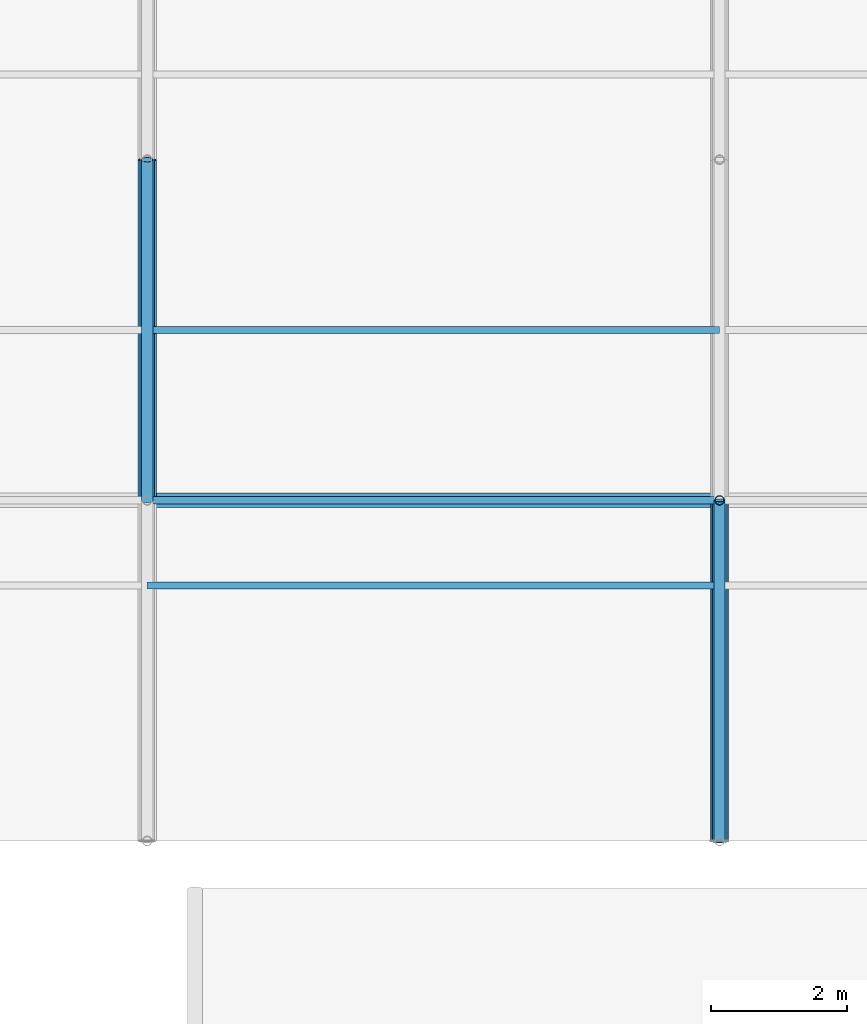
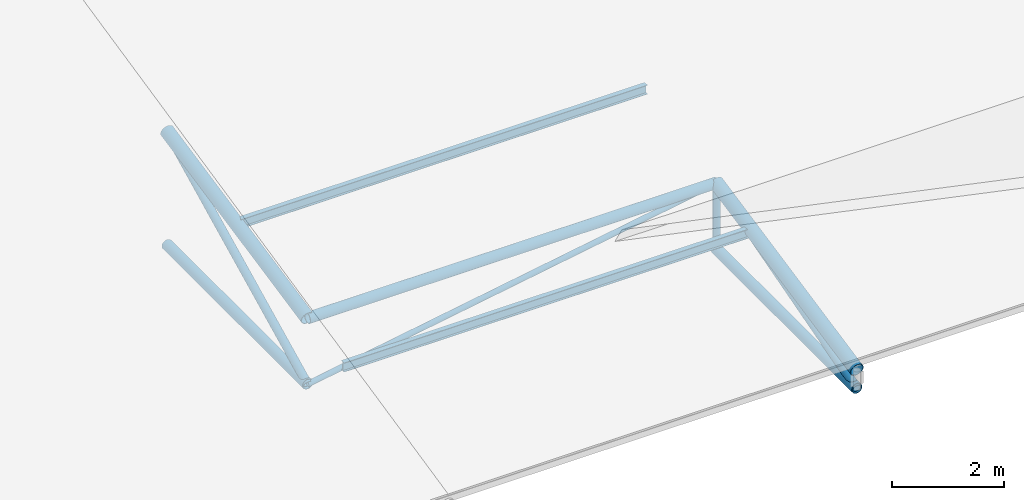
# One storey, part 71 of 194: 9 members, 2 beams.
"""IFC4 building model written with IfcOpenShell, lengths in metres."""

from ifc_helpers import new_model, si_unit, direction, frame, origin, origin_2d, place, context, subcontext, project, spatial, hollow_circle, i_section, extrude, material, material_profile, profile_set, type_object, element, save


model = new_model("IFC4")

# Units and contexts
model_context = context("Model", 3, precision=1e-05, world=origin(), true_north=direction((0.0, 1.0)))
body_context = subcontext(model_context, "Body", "Model", "MODEL_VIEW")
ifc_project = project(units=[si_unit("LENGTHUNIT", "METRE"), si_unit("AREAUNIT", "SQUARE_METRE"), si_unit("VOLUMEUNIT", "CUBIC_METRE"), si_unit("PLANEANGLEUNIT", "RADIAN"), si_unit("MASSUNIT", "GRAM", prefix="KILO")], contexts=[model_context])

# Site, building, storey
site_placement = place(None, origin())
site = spatial("IfcSite", under=ifc_project, at=site_placement, CompositionType="ELEMENT")
building_placement = place(site_placement, origin())
building = spatial("IfcBuilding", under=site, at=building_placement, Name="Kazenagashi Tramway Depot", CompositionType="ELEMENT")
storey_placement = place(building_placement, frame((0.0, 0.0, 23.7)))
storey = spatial("IfcBuildingStorey", under=building, at=storey_placement, Name="ROOF", CompositionType="ELEMENT", Elevation=23.7)

# Beams
ifc_material_1 = material(Name="Steel SN400B", Category="steel")
ifc_material_profile_1 = material_profile(ifc_material_1, i_section(OverallWidth=0.1, OverallDepth=0.2, WebThickness=0.0055, FlangeThickness=0.008, at=origin_2d()), Name="H-200x100x5.5x8")
ifc_profile_set_1 = profile_set([ifc_material_profile_1], Name="Steel SN400B")
beam_type = type_object("IfcBeamType", Name="PR-01", PredefinedType="USERDEFINED", material=ifc_profile_set_1)
for number, where, z_axis, x_axis, name in (
    (1, (145.6, 73.75, -12.955), (1.0, 0.0, 0.0), (0.0, 1.0, 0.0), "Beam PR-01 BM-2030"),
    (2, (145.6, 77.5, -12.13), (1.0, 0.0, 0.0), (0.0, 1.0, 0.0), "Beam PR-01 BM-2048"),
):
    element("IfcBeam", number, at=place(storey_placement, frame(where, z_axis=z_axis, x_axis=x_axis)), inside=storey, type_object=beam_type, Name=name, ObjectType="PURLIN", PredefinedType="USERDEFINED", context=body_context, shape_type="SweptSolid", body=[
        extrude(i_section(OverallWidth=0.1, OverallDepth=0.2, WebThickness=0.0055, FlangeThickness=0.008, at=origin_2d()), origin(), (0.0, 0.0, 1.0), 8.4),
    ])

# Members
ifc_material_2 = material(Name="Steel STK490", Category="steel")
ifc_material_profile_2 = material_profile(ifc_material_2, hollow_circle(Radius=0.1337, WallThickness=0.0093, at=origin_2d()), Name="CHS-267.4x9.3")
ifc_profile_set_2 = profile_set([ifc_material_profile_2], Name="Steel STK490")
member_type_1 = type_object("IfcMemberType", Name="TC-01", PredefinedType="CHORD", material=ifc_profile_set_2)
member_1_placement = place(storey_placement, frame((145.6, 75.0, -12.667), z_axis=(0.0, 0.979279174591, 0.202514933305), x_axis=(-1.0, 0.0, 0.0)))
element("IfcMember", 3, at=member_1_placement, inside=storey, type_object=member_type_1, Name="Tubular Space Frame TC-01 MEM-0736", PredefinedType="CHORD", context=body_context, shape_type="SweptSolid", body=[
    extrude(hollow_circle(Radius=0.1337, WallThickness=0.0093, at=origin_2d()), origin(), (0.0, 0.0, 1.0), 5.105796),
])
member_2_placement = place(storey_placement, frame((154.0, 70.0, -13.7), z_axis=(0.0, 0.979317999984, 0.202327098797), x_axis=(-1.0, 0.0, 0.0)))
element("IfcMember", 4, at=member_2_placement, inside=storey, type_object=member_type_1, Name="Tubular Space Frame TC-01 MEM-0794", PredefinedType="CHORD", context=body_context, shape_type="SweptSolid", body=[
    extrude(hollow_circle(Radius=0.1337, WallThickness=0.0093, at=origin_2d()), origin(), (0.0, 0.0, 1.0), 5.105594),
])
ifc_material_profile_3 = material_profile(ifc_material_2, hollow_circle(Radius=0.10815, WallThickness=0.0082, at=origin_2d()), Name="CHS-216.3x8.2")
ifc_profile_set_3 = profile_set([ifc_material_profile_3], Name="Steel STK490")
member_type_2 = type_object("IfcMemberType", Name="TC-02", PredefinedType="CHORD", material=ifc_profile_set_3)
member_3_placement = place(storey_placement, frame((145.6, 75.0, -14.1), z_axis=(0.0, 1.0, 0.0), x_axis=(-1.0, 0.0, 0.0)))
element("IfcMember", 5, at=member_3_placement, inside=storey, type_object=member_type_2, Name="Tubular Space Frame TC-02 MEM-0737", PredefinedType="CHORD", context=body_context, shape_type="SweptSolid", body=[
    extrude(hollow_circle(Radius=0.10815, WallThickness=0.0082, at=origin_2d()), origin(), (0.0, 0.0, 1.0), 5.0),
])
member_4_placement = place(storey_placement, frame((145.6, 75.0, -12.667), z_axis=(1.0, 0.0, 0.0), x_axis=(0.0, 1.0, 0.0)))
element("IfcMember", 6, at=member_4_placement, inside=storey, type_object=member_type_2, Name="Tubular Space Frame TC-02 MEM-0758", PredefinedType="CHORD", context=body_context, shape_type="SweptSolid", body=[
    extrude(hollow_circle(Radius=0.10815, WallThickness=0.0082, at=origin_2d()), origin(), (0.0, 0.0, 1.0), 8.4),
])
member_5_placement = place(storey_placement, frame((154.0, 70.0, -14.1), z_axis=(0.0, 1.0, 0.0), x_axis=(-1.0, 0.0, 0.0)))
element("IfcMember", 7, at=member_5_placement, inside=storey, type_object=member_type_2, Name="Tubular Space Frame TC-02 MEM-0795", PredefinedType="CHORD", context=body_context, shape_type="SweptSolid", body=[
    extrude(hollow_circle(Radius=0.10815, WallThickness=0.0082, at=origin_2d()), origin(), (0.0, 0.0, 1.0), 5.0),
])
ifc_material_profile_4 = material_profile(ifc_material_2, hollow_circle(Radius=0.0826, WallThickness=0.0071, at=origin_2d()), Name="CHS-165.2x7.1")
ifc_profile_set_4 = profile_set([ifc_material_profile_4], Name="Steel STK490")
member_type_3 = type_object("IfcMemberType", Name="TS-01", PredefinedType="STRUT", material=ifc_profile_set_4)
member_6_placement = place(storey_placement, frame((145.6, 75.0, -14.1), z_axis=(0.0, 0.896782162482, 0.442472318969), x_axis=(-1.0, 0.0, 0.0)))
element("IfcMember", 8, at=member_6_placement, inside=storey, type_object=member_type_3, Name="Tubular Space Frame TS-01 MEM-0738", PredefinedType="STRUT", context=body_context, shape_type="SweptSolid", body=[
    extrude(hollow_circle(Radius=0.0826, WallThickness=0.0071, at=origin_2d()), origin(), (0.0, 0.0, 1.0), 5.57549),
])
member_7_placement = place(storey_placement, frame((154.0, 70.0, -14.1), z_axis=(0.0, 0.961298717795, 0.27550821252), x_axis=(-1.0, 0.0, 0.0)))
element("IfcMember", 9, at=member_7_placement, inside=storey, type_object=member_type_3, Name="Tubular Space Frame TS-01 MEM-0796", PredefinedType="STRUT", context=body_context, shape_type="SweptSolid", body=[
    extrude(hollow_circle(Radius=0.0826, WallThickness=0.0071, at=origin_2d()), origin(), (0.0, 0.0, 1.0), 5.201297),
])
ifc_material_profile_5 = material_profile(ifc_material_2, hollow_circle(Radius=0.0699, WallThickness=0.0066, at=origin_2d()), Name="CHS-139.8x6.6")
ifc_profile_set_5 = profile_set([ifc_material_profile_5], Name="Steel STK490")
member_type_4 = type_object("IfcMemberType", Name="TS-02", PredefinedType="STRUT", material=ifc_profile_set_5)
member_8_placement = place(storey_placement, frame((154.0, 75.0, -14.1), z_axis=(0.0, 0.0, 1.0), x_axis=(1.0, 0.0, 0.0)))
element("IfcMember", 10, at=member_8_placement, inside=storey, type_object=member_type_4, Name="Tubular Space Frame TS-02 MEM-0813", PredefinedType="STRUT", context=body_context, shape_type="SweptSolid", body=[
    extrude(hollow_circle(Radius=0.0699, WallThickness=0.0066, at=origin_2d()), origin(), (0.0, 0.0, 1.0), 1.433),
])
ifc_material_3 = material(Name="Steel STK400", Category="steel")
ifc_material_profile_6 = material_profile(ifc_material_3, hollow_circle(Radius=0.05715, WallThickness=0.0045, at=origin_2d()), Name="CHS-114.3x4.5")
ifc_profile_set_6 = profile_set([ifc_material_profile_6], Name="Steel STK400")
member_type_5 = type_object("IfcMemberType", Name="TS-03", PredefinedType="STRUT", material=ifc_profile_set_6)
member_9_placement = place(storey_placement, frame((145.6, 75.0, -14.1), z_axis=(0.985758734117, 0.0, 0.168165745951), x_axis=(0.0, 1.0, 0.0)))
element("IfcMember", 11, at=member_9_placement, inside=storey, type_object=member_type_5, Name="Tubular Space Frame TS-03 MEM-0759", PredefinedType="STRUT", context=body_context, shape_type="SweptSolid", body=[
    extrude(hollow_circle(Radius=0.05715, WallThickness=0.0045, at=origin_2d()), origin(), (0.0, 0.0, 1.0), 8.521355),
])

save(model, "model.ifc")
